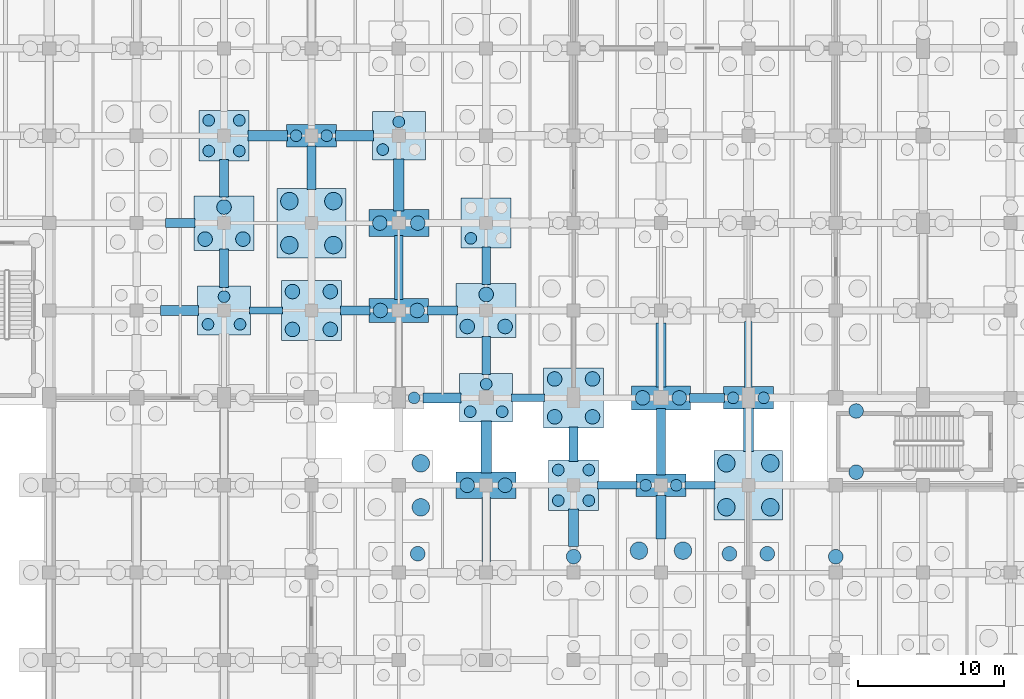
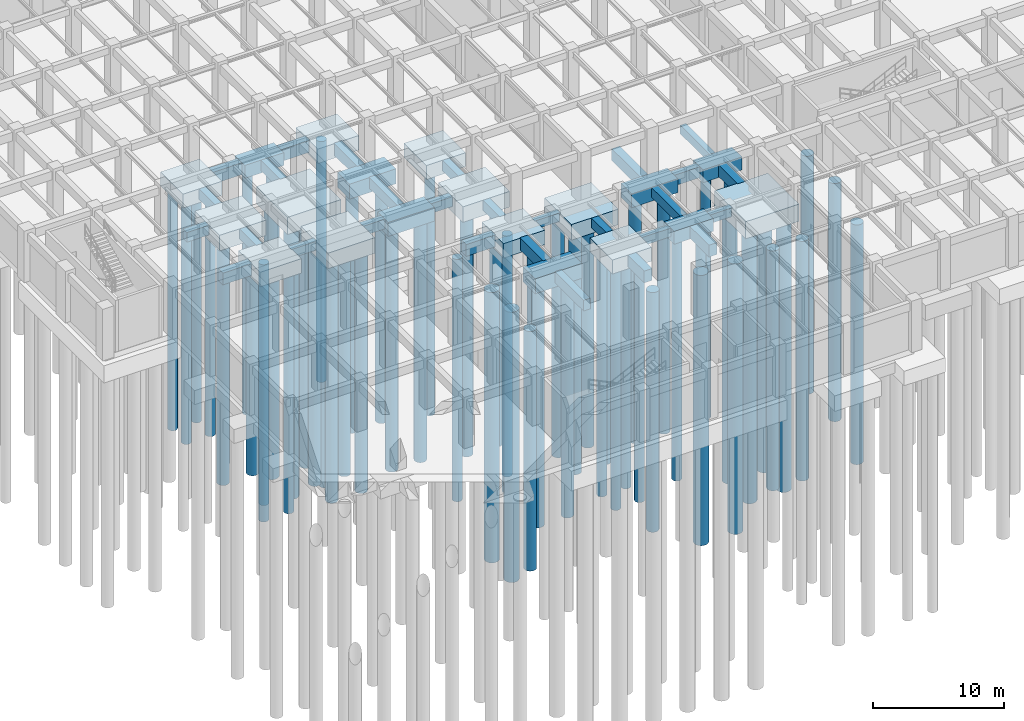
# One storey, part 3 of 54: 65 piles, 47 footings.
"""IFC4 building model written with IfcOpenShell, lengths in metres."""

from ifc_helpers import new_model, si_unit, direction, frame, origin, origin_2d, place, context, subcontext, project, spatial, rectangle, circle, extrude, material, material_profile, profile_set, type_object, element, save


model = new_model("IFC4")

# Units and contexts
model_context = context("Model", 3, precision=1e-05, world=origin(), true_north=direction((0.0, 1.0)))
body_context = subcontext(model_context, "Body", "Model", "MODEL_VIEW")
ifc_project = project(units=[si_unit("LENGTHUNIT", "METRE"), si_unit("AREAUNIT", "SQUARE_METRE"), si_unit("VOLUMEUNIT", "CUBIC_METRE"), si_unit("PLANEANGLEUNIT", "RADIAN"), si_unit("MASSUNIT", "GRAM", prefix="KILO"), si_unit("THERMODYNAMICTEMPERATUREUNIT", "KELVIN"), si_unit("POWERUNIT", "WATT")], contexts=[model_context])

# Site, building, storey
site_placement = place(None, origin())
site = spatial("IfcSite", under=ifc_project, at=site_placement, CompositionType="ELEMENT")
building_placement = place(site_placement, origin())
building = spatial("IfcBuilding", under=site, at=building_placement, Name="Phaisarnlok Congress Hotel", CompositionType="ELEMENT")
storey_placement = place(building_placement, frame((0.0, 0.0, -4.800048828125)))
storey = spatial("IfcBuildingStorey", under=building, at=storey_placement, Name="B01", CompositionType="ELEMENT", Elevation=-4.800048828125)

# Footings
ifc_material_1 = material(Name="Concrete C40/50", Category="concrete")
footing_type_1 = type_object("IfcFootingType", Name="CAP-2P-A", PredefinedType="PILE_CAP", material=ifc_material_1)
for number, where, z_axis, x_axis, name in (
    (1, (24.0, 60.0, -1.69970703125), (0.0, 0.0, 1.0), (1.0, 0.0, 0.0), "Pile cap PC-01 at (24,60)"),
    (2, (48.0, 36.0, -1.69970703125), (0.0, 0.0, 1.0), (1.0, 0.0, 0.0), "Pile cap PC-01 at (48,36)"),
    (3, (54.0, 42.0, -1.69970703125), (0.0, 0.0, 1.0), (1.0, 0.0, 0.0), "Pile cap PC-01 at (54,42)"),
):
    element("IfcFooting", number, at=place(storey_placement, frame(where, z_axis=z_axis, x_axis=x_axis)), inside=storey, type_object=footing_type_1, Name=name, PredefinedType="PILE_CAP", context=body_context, shape_type="SweptSolid", body=[
        extrude(rectangle(XDim=3.43994140625, YDim=1.5400390625, at=origin_2d()), origin(), (0.0, 0.0, 1.0), 1.199951171875),
    ])
footing_type_2 = type_object("IfcFootingType", Name="CAP-2P-B", PredefinedType="PILE_CAP", material=ifc_material_1)
for number, where, z_axis, x_axis, name in (
    (4, (30.0, 48.0, -1.7998046875), (0.0, 0.0, 1.0), (1.0, 0.0, 0.0), "Pile cap PC-02 at (30,48)"),
    (5, (48.0, 42.0, -1.7998046875), (0.0, 0.0, 1.0), (1.0, 0.0, 0.0), "Pile cap PC-02 at (48,42)"),
):
    element("IfcFooting", number, at=place(storey_placement, frame(where, z_axis=z_axis, x_axis=x_axis)), inside=storey, type_object=footing_type_2, Name=name, PredefinedType="PILE_CAP", context=body_context, shape_type="SweptSolid", body=[
        extrude(rectangle(XDim=4.080078125, YDim=1.639892578125, at=origin_2d()), origin(), (0.0, 0.0, 1.0), 1.300048828125),
    ])
footing_type_3 = type_object("IfcFootingType", Name="CAP-2P-C", PredefinedType="PILE_CAP", material=ifc_material_1)
for number, where, z_axis, x_axis, name in (
    (6, (30.0, 54.0, -1.89990234375), (0.0, 0.0, 1.0), (1.0, 0.0, 0.0), "Pile cap PC-03 at (30,54)"),
    (7, (36.0, 36.0, -1.89990234375), (0.0, 0.0, 1.0), (1.0, 0.0, 0.0), "Pile cap PC-03 at (36,36)"),
):
    element("IfcFooting", number, at=place(storey_placement, frame(where, z_axis=z_axis, x_axis=x_axis)), inside=storey, type_object=footing_type_3, Name=name, PredefinedType="PILE_CAP", context=body_context, shape_type="SweptSolid", body=[
        extrude(rectangle(XDim=4.1201171875, YDim=1.840087890625, at=origin_2d()), origin(), (0.0, 0.0, 1.0), 1.39990234375),
    ])
footing_type_4 = type_object("IfcFootingType", Name="CAP-3P-A", PredefinedType="PILE_CAP", material=ifc_material_1)
for number, where, z_axis, x_axis, name in (
    (8, (18.0, 48.0, -1.85009765625), (0.0, 0.0, 1.0), (1.0, 0.0, 0.0), "Pile cap PC-04 at (18,48)"),
    (9, (30.0, 60.0, -1.85009765625), (0.0, 0.0, 1.0), (1.0, 0.0, 0.0), "Pile cap PC-04 at (30,60)"),
    (10, (36.0, 42.0, -1.85009765625), (0.0, 0.0, 1.0), (1.0, 0.0, 0.0), "Pile cap PC-04 at (36,42)"),
):
    element("IfcFooting", number, at=place(storey_placement, frame(where, z_axis=z_axis, x_axis=x_axis)), inside=storey, type_object=footing_type_4, Name=name, PredefinedType="PILE_CAP", context=body_context, shape_type="SweptSolid", body=[
        extrude(rectangle(XDim=3.639892578125, YDim=3.340087890625, at=origin_2d()), origin(), (0.0, 0.0, 1.0), 1.35009765625),
    ])
footing_type_5 = type_object("IfcFootingType", Name="CAP-3P-B", PredefinedType="PILE_CAP", material=ifc_material_1)
for number, where, z_axis, x_axis, name in (
    (11, (18.0, 54.0, -1.94970703125), (0.0, 0.0, 1.0), (1.0, 0.0, 0.0), "Pile cap PC-05 at (18,54)"),
    (12, (36.0, 48.0, -1.94970703125), (0.0, 0.0, 1.0), (1.0, 0.0, 0.0), "Pile cap PC-05 at (36,48)"),
):
    element("IfcFooting", number, at=place(storey_placement, frame(where, z_axis=z_axis, x_axis=x_axis)), inside=storey, type_object=footing_type_5, Name=name, PredefinedType="PILE_CAP", context=body_context, shape_type="SweptSolid", body=[
        extrude(rectangle(XDim=4.1201171875, YDim=3.739990234375, at=origin_2d()), origin(), (0.0, 0.0, 1.0), 1.449951171875),
    ])
footing_type_6 = type_object("IfcFootingType", Name="CAP-4P-A", PredefinedType="PILE_CAP", material=ifc_material_1)
for number, where, z_axis, x_axis, name in (
    (13, (18.0, 60.0, -1.7998046875), (0.0, 0.0, 1.0), (1.0, 0.0, 0.0), "Pile cap PC-06 at (18,60)"),
    (14, (36.0, 54.0, -1.7998046875), (0.0, 0.0, 1.0), (1.0, 0.0, 0.0), "Pile cap PC-06 at (36,54)"),
    (15, (42.0, 36.0, -1.7998046875), (0.0, 0.0, 1.0), (1.0, 0.0, 0.0), "Pile cap PC-06 at (42,36)"),
):
    element("IfcFooting", number, at=place(storey_placement, frame(where, z_axis=z_axis, x_axis=x_axis)), inside=storey, type_object=footing_type_6, Name=name, PredefinedType="PILE_CAP", context=body_context, shape_type="SweptSolid", body=[
        extrude(rectangle(XDim=3.43994140625, YDim=3.43994140625, at=origin_2d()), origin(), (0.0, 0.0, 1.0), 1.300048828125),
    ])
footing_type_7 = type_object("IfcFootingType", Name="CAP-4P-B", PredefinedType="PILE_CAP", material=ifc_material_1)
for number, where, z_axis, x_axis, name in (
    (16, (24.0, 48.0, -1.94970703125), (0.0, 0.0, 1.0), (1.0, 0.0, 0.0), "Pile cap PC-07 at (24,48)"),
    (17, (42.0, 42.0, -1.94970703125), (0.0, 0.0, 1.0), (1.0, 0.0, 0.0), "Pile cap PC-07 at (42,42)"),
):
    element("IfcFooting", number, at=place(storey_placement, frame(where, z_axis=z_axis, x_axis=x_axis)), inside=storey, type_object=footing_type_7, Name=name, PredefinedType="PILE_CAP", context=body_context, shape_type="SweptSolid", body=[
        extrude(rectangle(XDim=4.1201171875, YDim=4.1201171875, at=origin_2d()), origin(), (0.0, 0.0, 1.0), 1.449951171875),
    ])
footing_type_8 = type_object("IfcFootingType", Name="CAP-4P-C", PredefinedType="PILE_CAP", material=ifc_material_1)
for number, where, z_axis, x_axis, name in (
    (18, (24.0, 54.0, -2.10009765625), (0.0, 0.0, 1.0), (1.0, 0.0, 0.0), "Pile cap PC-08 at (24,54)"),
    (19, (54.0, 36.0, -2.10009765625), (0.0, 0.0, 1.0), (1.0, 0.0, 0.0), "Pile cap PC-08 at (54,36)"),
):
    element("IfcFooting", number, at=place(storey_placement, frame(where, z_axis=z_axis, x_axis=x_axis)), inside=storey, type_object=footing_type_8, Name=name, PredefinedType="PILE_CAP", context=body_context, shape_type="SweptSolid", body=[
        extrude(rectangle(XDim=4.719970703125, YDim=4.760009765625, at=origin_2d()), origin(), (0.0, 0.0, 1.0), 1.60009765625),
    ])
ifc_material_profile_1 = material_profile(ifc_material_1, rectangle(XDim=0.5, YDim=0.800048828125, at=origin_2d()), Name="FB-500x800")
ifc_profile_set_1 = profile_set([ifc_material_profile_1], Name="Concrete C40/50")
footing_type_9 = type_object("IfcFootingType", Name="FB-500x800", PredefinedType="FOOTING_BEAM", material=ifc_profile_set_1)
for number, where, z_axis, x_axis, name in (
    (20, (19.7451171875, 48.0, -0.89990234375), (1.0, 0.0, 0.0), (0.0, 1.0, 0.0), "Ground tie beam FB-01"),
    (21, (37.7451171875, 42.0, -0.89990234375), (1.0, 0.0, 0.0), (0.0, 1.0, 0.0), "Ground tie beam FB-01"),
):
    element("IfcFooting", number, at=place(storey_placement, frame(where, z_axis=z_axis, x_axis=x_axis)), inside=storey, type_object=footing_type_9, Name=name, PredefinedType="FOOTING_BEAM", context=body_context, shape_type="SweptSolid", body=[
        extrude(rectangle(XDim=0.5, YDim=0.800048828125, at=origin_2d()), origin(), (0.0, 0.0, 1.0), 2.269775390625),
    ])
footing_1_placement = place(storey_placement, frame((43.64501953125, 36.0, -0.89990234375), z_axis=(1.0, 0.0, 0.0), x_axis=(0.0, 1.0, 0.0)))
element("IfcFooting", 22, at=footing_1_placement, inside=storey, type_object=footing_type_9, Name="Ground tie beam FB-01", PredefinedType="FOOTING_BEAM", context=body_context, shape_type="SweptSolid", body=[
    extrude(rectangle(XDim=0.5, YDim=0.800048828125, at=origin_2d()), origin(), (0.0, 0.0, 1.0), 2.7099609375),
])
footing_2_placement = place(storey_placement, frame((49.64501953125, 36.0, -0.89990234375), z_axis=(1.0, 0.0, 0.0), x_axis=(0.0, 1.0, 0.0)))
element("IfcFooting", 23, at=footing_2_placement, inside=storey, type_object=footing_type_9, Name="Ground tie beam FB-01", PredefinedType="FOOTING_BEAM", context=body_context, shape_type="SweptSolid", body=[
    extrude(rectangle(XDim=0.5, YDim=0.800048828125, at=origin_2d()), origin(), (0.0, 0.0, 1.0), 2.070068359375),
])
footing_3_placement = place(storey_placement, frame((54.0, 42.695068359375, -0.89990234375), z_axis=(0.0, 1.0, 0.0), x_axis=(-1.0, 0.0, 0.0)))
element("IfcFooting", 24, at=footing_3_placement, inside=storey, type_object=footing_type_9, Name="Ground tie beam FB-01", PredefinedType="FOOTING_BEAM", context=body_context, shape_type="SweptSolid", body=[
    extrude(rectangle(XDim=0.5, YDim=0.800048828125, at=origin_2d()), origin(), (0.0, 0.0, 1.0), 4.559814453125),
])
ifc_material_profile_2 = material_profile(ifc_material_1, rectangle(XDim=0.60009765625, YDim=1.0, at=origin_2d()), Name="FB-600x1000")
ifc_profile_set_2 = profile_set([ifc_material_profile_2], Name="Concrete C40/50")
footing_type_10 = type_object("IfcFootingType", Name="FB-600x1000", PredefinedType="FOOTING_BEAM", material=ifc_profile_set_2)
footing_4_placement = place(storey_placement, frame((18.0, 55.794921875, -1.0), z_axis=(0.0, 1.0, 0.0), x_axis=(-1.0, 0.0, 0.0)))
element("IfcFooting", 25, at=footing_4_placement, inside=storey, type_object=footing_type_10, Name="Ground tie beam FB-03", PredefinedType="FOOTING_BEAM", context=body_context, shape_type="SweptSolid", body=[
    extrude(rectangle(XDim=0.60009765625, YDim=1.0, at=origin_2d()), origin(), (0.0, 0.0, 1.0), 2.56005859375),
])
footing_5_placement = place(storey_placement, frame((24.0, 56.304931640625, -1.0), z_axis=(0.0, 1.0, 0.0), x_axis=(-1.0, 0.0, 0.0)))
element("IfcFooting", 26, at=footing_5_placement, inside=storey, type_object=footing_type_10, Name="Ground tie beam FB-03", PredefinedType="FOOTING_BEAM", context=body_context, shape_type="SweptSolid", body=[
    extrude(rectangle(XDim=0.60009765625, YDim=1.0, at=origin_2d()), origin(), (0.0, 0.0, 1.0), 3.0),
])
for number, where, z_axis, x_axis, name in (
    (27, (30.0, 48.7451171875, -1.0), (0.0, 1.0, 0.0), (-1.0, 0.0, 0.0), "Ground tie beam FB-03"),
    (28, (36.0, 30.7451171875, -1.0), (0.0, 1.0, 0.0), (-1.0, 0.0, 0.0), "Ground tie beam FB-03"),
):
    element("IfcFooting", number, at=place(storey_placement, frame(where, z_axis=z_axis, x_axis=x_axis)), inside=storey, type_object=footing_type_10, Name=name, PredefinedType="FOOTING_BEAM", context=body_context, shape_type="SweptSolid", body=[
        extrude(rectangle(XDim=0.60009765625, YDim=1.0, at=origin_2d()), origin(), (0.0, 0.0, 1.0), 4.409912109375),
    ])
footing_6_placement = place(storey_placement, frame((36.0, 49.794921875, -1.0), z_axis=(0.0, 1.0, 0.0), x_axis=(-1.0, 0.0, 0.0)))
element("IfcFooting", 29, at=footing_6_placement, inside=storey, type_object=footing_type_10, Name="Ground tie beam FB-03", PredefinedType="FOOTING_BEAM", context=body_context, shape_type="SweptSolid", body=[
    extrude(rectangle(XDim=0.60009765625, YDim=1.0, at=origin_2d()), origin(), (0.0, 0.0, 1.0), 2.56005859375),
])
footing_7_placement = place(storey_placement, frame((49.965087890625, 42.0, -1.0), z_axis=(1.0, 0.0, 0.0), x_axis=(0.0, 1.0, 0.0)))
element("IfcFooting", 30, at=footing_7_placement, inside=storey, type_object=footing_type_10, Name="Ground tie beam FB-03", PredefinedType="FOOTING_BEAM", context=body_context, shape_type="SweptSolid", body=[
    extrude(rectangle(XDim=0.60009765625, YDim=1.0, at=origin_2d()), origin(), (0.0, 0.0, 1.0), 2.389892578125),
])
ifc_material_profile_3 = material_profile(ifc_material_1, rectangle(XDim=0.60009765625, YDim=0.89990234375, at=origin_2d()), Name="FB-600x900")
ifc_profile_set_3 = profile_set([ifc_material_profile_3], Name="Concrete C40/50")
footing_type_11 = type_object("IfcFootingType", Name="FB-600x900", PredefinedType="FOOTING_BEAM", material=ifc_profile_set_3)
footing_8_placement = place(storey_placement, frame((13.985107421875, 54.0, -0.949951171875), z_axis=(1.0, 0.0, 0.0), x_axis=(0.0, 1.0, 0.0)))
element("IfcFooting", 31, at=footing_8_placement, inside=storey, type_object=footing_type_11, Name="Ground tie beam FB-02", PredefinedType="FOOTING_BEAM", context=body_context, shape_type="SweptSolid", body=[
    extrude(rectangle(XDim=0.60009765625, YDim=0.89990234375, at=origin_2d()), origin(), (0.0, 0.0, 1.0), 2.02978515625),
])
footing_9_placement = place(storey_placement, frame((18.0, 49.594970703125, -0.949951171875), z_axis=(0.0, 1.0, 0.0), x_axis=(-1.0, 0.0, 0.0)))
element("IfcFooting", 32, at=footing_9_placement, inside=storey, type_object=footing_type_11, Name="Ground tie beam FB-02", PredefinedType="FOOTING_BEAM", context=body_context, shape_type="SweptSolid", body=[
    extrude(rectangle(XDim=0.60009765625, YDim=0.89990234375, at=origin_2d()), origin(), (0.0, 0.0, 1.0), 2.610107421875),
])
for number, where, z_axis, x_axis, name in (
    (33, (25.985107421875, 48.0, -0.949951171875), (1.0, 0.0, 0.0), (0.0, 1.0, 0.0), "Ground tie beam FB-02"),
    (34, (31.965087890625, 48.0, -0.949951171875), (1.0, 0.0, 0.0), (0.0, 1.0, 0.0), "Ground tie beam FB-02"),
):
    element("IfcFooting", number, at=place(storey_placement, frame(where, z_axis=z_axis, x_axis=x_axis)), inside=storey, type_object=footing_type_11, Name=name, PredefinedType="FOOTING_BEAM", context=body_context, shape_type="SweptSolid", body=[
        extrude(rectangle(XDim=0.60009765625, YDim=0.89990234375, at=origin_2d()), origin(), (0.0, 0.0, 1.0), 2.0498046875),
    ])
footing_10_placement = place(storey_placement, frame((36.0, 43.594970703125, -0.949951171875), z_axis=(0.0, 1.0, 0.0), x_axis=(-1.0, 0.0, 0.0)))
element("IfcFooting", 35, at=footing_10_placement, inside=storey, type_object=footing_type_11, Name="Ground tie beam FB-02", PredefinedType="FOOTING_BEAM", context=body_context, shape_type="SweptSolid", body=[
    extrude(rectangle(XDim=0.60009765625, YDim=0.89990234375, at=origin_2d()), origin(), (0.0, 0.0, 1.0), 2.610107421875),
])
footing_11_placement = place(storey_placement, frame((42.0, 37.64501953125, -0.949951171875), z_axis=(0.0, 1.0, 0.0), x_axis=(-1.0, 0.0, 0.0)))
element("IfcFooting", 36, at=footing_11_placement, inside=storey, type_object=footing_type_11, Name="Ground tie beam FB-02", PredefinedType="FOOTING_BEAM", context=body_context, shape_type="SweptSolid", body=[
    extrude(rectangle(XDim=0.60009765625, YDim=0.89990234375, at=origin_2d()), origin(), (0.0, 0.0, 1.0), 2.369873046875),
])
footing_12_placement = place(storey_placement, frame((48.0, 36.695068359375, -0.949951171875), z_axis=(0.0, 1.0, 0.0), x_axis=(-1.0, 0.0, 0.0)))
element("IfcFooting", 37, at=footing_12_placement, inside=storey, type_object=footing_type_11, Name="Ground tie beam FB-02", PredefinedType="FOOTING_BEAM", context=body_context, shape_type="SweptSolid", body=[
    extrude(rectangle(XDim=0.60009765625, YDim=0.89990234375, at=origin_2d()), origin(), (0.0, 0.0, 1.0), 4.559814453125),
])
ifc_material_profile_4 = material_profile(ifc_material_1, rectangle(XDim=0.699951171875, YDim=1.10009765625, at=origin_2d()), Name="FB-700x1100")
ifc_profile_set_4 = profile_set([ifc_material_profile_4], Name="Concrete C40/50")
footing_type_12 = type_object("IfcFootingType", Name="FB-700x1100", PredefinedType="FOOTING_BEAM", material=ifc_profile_set_4)
footing_13_placement = place(storey_placement, frame((13.64501953125, 48.0, -1.050048828125), z_axis=(1.0, 0.0, 0.0), x_axis=(0.0, 1.0, 0.0)))
element("IfcFooting", 38, at=footing_13_placement, inside=storey, type_object=footing_type_12, Name="Ground tie beam FB-04", PredefinedType="FOOTING_BEAM", context=body_context, shape_type="SweptSolid", body=[
    extrude(rectangle(XDim=0.699951171875, YDim=1.10009765625, at=origin_2d()), origin(), (0.0, 0.0, 1.0), 2.60986328125),
])
footing_14_placement = place(storey_placement, frame((19.64501953125, 60.0, -1.050048828125), z_axis=(1.0, 0.0, 0.0), x_axis=(0.0, 1.0, 0.0)))
element("IfcFooting", 39, at=footing_14_placement, inside=storey, type_object=footing_type_12, Name="Ground tie beam FB-04", PredefinedType="FOOTING_BEAM", context=body_context, shape_type="SweptSolid", body=[
    extrude(rectangle(XDim=0.699951171875, YDim=1.10009765625, at=origin_2d()), origin(), (0.0, 0.0, 1.0), 2.7099609375),
])
for number, where, z_axis, x_axis, name in (
    (40, (25.64501953125, 60.0, -1.050048828125), (1.0, 0.0, 0.0), (0.0, 1.0, 0.0), "Ground tie beam FB-04"),
    (41, (31.64501953125, 42.0, -1.050048828125), (1.0, 0.0, 0.0), (0.0, 1.0, 0.0), "Ground tie beam FB-04"),
):
    element("IfcFooting", number, at=place(storey_placement, frame(where, z_axis=z_axis, x_axis=x_axis)), inside=storey, type_object=footing_type_12, Name=name, PredefinedType="FOOTING_BEAM", context=body_context, shape_type="SweptSolid", body=[
        extrude(rectangle(XDim=0.699951171875, YDim=1.10009765625, at=origin_2d()), origin(), (0.0, 0.0, 1.0), 2.60986328125),
    ])
for number, where, z_axis, x_axis, name in (
    (42, (30.0, 54.844970703125, -1.050048828125), (0.0, 1.0, 0.0), (-1.0, 0.0, 0.0), "Ground tie beam FB-04"),
    (43, (36.0, 36.844970703125, -1.050048828125), (0.0, 1.0, 0.0), (-1.0, 0.0, 0.0), "Ground tie beam FB-04"),
):
    element("IfcFooting", number, at=place(storey_placement, frame(where, z_axis=z_axis, x_axis=x_axis)), inside=storey, type_object=footing_type_12, Name=name, PredefinedType="FOOTING_BEAM", context=body_context, shape_type="SweptSolid", body=[
        extrude(rectangle(XDim=0.699951171875, YDim=1.10009765625, at=origin_2d()), origin(), (0.0, 0.0, 1.0), 3.56005859375),
    ])
footing_15_placement = place(storey_placement, frame((42.0, 31.794921875, -1.050048828125), z_axis=(0.0, 1.0, 0.0), x_axis=(-1.0, 0.0, 0.0)))
element("IfcFooting", 44, at=footing_15_placement, inside=storey, type_object=footing_type_12, Name="Ground tie beam FB-04", PredefinedType="FOOTING_BEAM", context=body_context, shape_type="SweptSolid", body=[
    extrude(rectangle(XDim=0.699951171875, YDim=1.10009765625, at=origin_2d()), origin(), (0.0, 0.0, 1.0), 2.56005859375),
])
footing_16_placement = place(storey_placement, frame((48.0, 32.304931640625, -1.050048828125), z_axis=(0.0, 1.0, 0.0), x_axis=(-1.0, 0.0, 0.0)))
element("IfcFooting", 45, at=footing_16_placement, inside=storey, type_object=footing_type_12, Name="Ground tie beam FB-04", PredefinedType="FOOTING_BEAM", context=body_context, shape_type="SweptSolid", body=[
    extrude(rectangle(XDim=0.699951171875, YDim=1.10009765625, at=origin_2d()), origin(), (0.0, 0.0, 1.0), 3.0),
])
footing_17_placement = place(storey_placement, frame((48.0, 42.7451171875, -1.050048828125), z_axis=(0.0, 1.0, 0.0), x_axis=(-1.0, 0.0, 0.0)))
element("IfcFooting", 46, at=footing_17_placement, inside=storey, type_object=footing_type_12, Name="Ground tie beam FB-04", PredefinedType="FOOTING_BEAM", context=body_context, shape_type="SweptSolid", body=[
    extrude(rectangle(XDim=0.699951171875, YDim=1.10009765625, at=origin_2d()), origin(), (0.0, 0.0, 1.0), 4.409912109375),
])
footing_18_placement = place(storey_placement, frame((54.0, 38.304931640625, -1.050048828125), z_axis=(0.0, 1.0, 0.0), x_axis=(-1.0, 0.0, 0.0)))
element("IfcFooting", 47, at=footing_18_placement, inside=storey, type_object=footing_type_12, Name="Ground tie beam FB-04", PredefinedType="FOOTING_BEAM", context=body_context, shape_type="SweptSolid", body=[
    extrude(rectangle(XDim=0.699951171875, YDim=1.10009765625, at=origin_2d()), origin(), (0.0, 0.0, 1.0), 3.0),
])

# Piles
ifc_material_2 = material(Name="Concrete C35/45", Category="concrete")
ifc_material_profile_5 = material_profile(ifc_material_2, circle(Radius=0.5, at=origin_2d()), Name="BORED PILE D1000")
ifc_profile_set_5 = profile_set([ifc_material_profile_5], Name="Concrete C35/45")
pile_type_1 = type_object("IfcPileType", Name="PILE-D1000", PredefinedType="BORED", material=ifc_profile_set_5)
for number, where, z_axis, x_axis, name in (
    (48, (61.39990234375, 36.89990234375, -2.0), (0.0, 0.0, -1.0), (1.0, 0.0, 0.0), "Bored pile PL-02 (STAIR-POD-S-01)"),
    (49, (61.39990234375, 41.10009765625, -2.0), (0.0, 0.0, -1.0), (1.0, 0.0, 0.0), "Bored pile PL-02 (STAIR-POD-S-02)"),
):
    element("IfcPile", number, at=place(storey_placement, frame(where, z_axis=z_axis, x_axis=x_axis)), inside=storey, type_object=pile_type_1, Name=name, PredefinedType="BORED", context=body_context, shape_type="SweptSolid", body=[
        extrude(circle(Radius=0.5, at=origin_2d()), origin(), (0.0, 0.0, 1.0), 22.199951171875),
    ])
for number, where, z_axis, x_axis, name in (
    (50, (16.699951171875, 52.89990234375, -1.849853515625), (0.0, 0.0, -1.0), (1.0, 0.0, 0.0), "Bored pile PL-02 (FTG-B01-018-054-1)"),
    (51, (19.300048828125, 52.89990234375, -1.849853515625), (0.0, 0.0, -1.0), (1.0, 0.0, 0.0), "Bored pile PL-02 (FTG-B01-018-054-2)"),
    (52, (18.0, 55.10009765625, -1.849853515625), (0.0, 0.0, -1.0), (1.0, 0.0, 0.0), "Bored pile PL-02 (FTG-B01-018-054-3)"),
    (53, (22.699951171875, 46.699951171875, -1.849853515625), (0.0, 0.0, -1.0), (1.0, 0.0, 0.0), "Bored pile PL-02 (FTG-B01-024-048-1)"),
    (54, (25.300048828125, 46.699951171875, -1.849853515625), (0.0, 0.0, -1.0), (1.0, 0.0, 0.0), "Bored pile PL-02 (FTG-B01-024-048-2)"),
    (55, (22.699951171875, 49.300048828125, -1.849853515625), (0.0, 0.0, -1.0), (1.0, 0.0, 0.0), "Bored pile PL-02 (FTG-B01-024-048-3)"),
    (56, (25.300048828125, 49.300048828125, -1.849853515625), (0.0, 0.0, -1.0), (1.0, 0.0, 0.0), "Bored pile PL-02 (FTG-B01-024-048-4)"),
    (57, (31.300048828125, 31.300048828125, -1.849853515625), (0.0, 0.0, -1.0), (1.0, 0.0, 0.0), "Bored pile PL-02 (FTG-B01-030-030-4)"),
):
    element("IfcPile", number, at=place(storey_placement, frame(where, z_axis=z_axis, x_axis=x_axis)), inside=storey, type_object=pile_type_1, Name=name, PredefinedType="BORED", context=body_context, shape_type="SweptSolid", body=[
        extrude(circle(Radius=0.5, at=origin_2d()), origin(), (0.0, 0.0, 1.0), 22.35009765625),
    ])
for number, where, z_axis, x_axis, name in (
    (58, (28.739990234375, 48.0, -1.699951171875), (0.0, 0.0, -1.0), (1.0, 0.0, 0.0), "Bored pile PL-02 (FTG-B01-030-048-1)"),
    (59, (31.260009765625, 48.0, -1.699951171875), (0.0, 0.0, -1.0), (1.0, 0.0, 0.0), "Bored pile PL-02 (FTG-B01-030-048-2)"),
):
    element("IfcPile", number, at=place(storey_placement, frame(where, z_axis=z_axis, x_axis=x_axis)), inside=storey, type_object=pile_type_1, Name=name, PredefinedType="BORED", context=body_context, shape_type="SweptSolid", body=[
        extrude(circle(Radius=0.5, at=origin_2d()), origin(), (0.0, 0.0, 1.0), 22.5),
    ])
for number, where, z_axis, x_axis, name in (
    (60, (28.699951171875, 54.0, -1.800048828125), (0.0, 0.0, -1.0), (1.0, 0.0, 0.0), "Bored pile PL-02 (FTG-B01-030-054-1)"),
    (61, (31.300048828125, 54.0, -1.800048828125), (0.0, 0.0, -1.0), (1.0, 0.0, 0.0), "Bored pile PL-02 (FTG-B01-030-054-2)"),
    (62, (34.699951171875, 36.0, -1.800048828125), (0.0, 0.0, -1.0), (1.0, 0.0, 0.0), "Bored pile PL-02 (FTG-B01-036-036-1)"),
    (63, (37.300048828125, 36.0, -1.800048828125), (0.0, 0.0, -1.0), (1.0, 0.0, 0.0), "Bored pile PL-02 (FTG-B01-036-036-2)"),
):
    element("IfcPile", number, at=place(storey_placement, frame(where, z_axis=z_axis, x_axis=x_axis)), inside=storey, type_object=pile_type_1, Name=name, PredefinedType="BORED", context=body_context, shape_type="SweptSolid", body=[
        extrude(circle(Radius=0.5, at=origin_2d()), origin(), (0.0, 0.0, 1.0), 22.39990234375),
    ])
for number, where, z_axis, x_axis, name in (
    (64, (34.699951171875, 46.89990234375, -1.849853515625), (0.0, 0.0, -1.0), (1.0, 0.0, 0.0), "Bored pile PL-02 (FTG-B01-036-048-1)"),
    (65, (37.300048828125, 46.89990234375, -1.849853515625), (0.0, 0.0, -1.0), (1.0, 0.0, 0.0), "Bored pile PL-02 (FTG-B01-036-048-2)"),
    (66, (36.0, 49.10009765625, -1.849853515625), (0.0, 0.0, -1.0), (1.0, 0.0, 0.0), "Bored pile PL-02 (FTG-B01-036-048-3)"),
    (67, (42.0, 31.10009765625, -1.849853515625), (0.0, 0.0, -1.0), (1.0, 0.0, 0.0), "Bored pile PL-02 (FTG-B01-042-030-3)"),
    (68, (40.699951171875, 40.699951171875, -1.849853515625), (0.0, 0.0, -1.0), (1.0, 0.0, 0.0), "Bored pile PL-02 (FTG-B01-042-042-1)"),
    (69, (43.300048828125, 40.699951171875, -1.849853515625), (0.0, 0.0, -1.0), (1.0, 0.0, 0.0), "Bored pile PL-02 (FTG-B01-042-042-2)"),
    (70, (40.699951171875, 43.300048828125, -1.849853515625), (0.0, 0.0, -1.0), (1.0, 0.0, 0.0), "Bored pile PL-02 (FTG-B01-042-042-3)"),
    (71, (43.300048828125, 43.300048828125, -1.849853515625), (0.0, 0.0, -1.0), (1.0, 0.0, 0.0), "Bored pile PL-02 (FTG-B01-042-042-4)"),
):
    element("IfcPile", number, at=place(storey_placement, frame(where, z_axis=z_axis, x_axis=x_axis)), inside=storey, type_object=pile_type_1, Name=name, PredefinedType="BORED", context=body_context, shape_type="SweptSolid", body=[
        extrude(circle(Radius=0.5, at=origin_2d()), origin(), (0.0, 0.0, 1.0), 22.35009765625),
    ])
for number, where, z_axis, x_axis, name in (
    (72, (46.739990234375, 42.0, -1.699951171875), (0.0, 0.0, -1.0), (1.0, 0.0, 0.0), "Bored pile PL-02 (FTG-B01-048-042-1)"),
    (73, (49.260009765625, 42.0, -1.699951171875), (0.0, 0.0, -1.0), (1.0, 0.0, 0.0), "Bored pile PL-02 (FTG-B01-048-042-2)"),
):
    element("IfcPile", number, at=place(storey_placement, frame(where, z_axis=z_axis, x_axis=x_axis)), inside=storey, type_object=pile_type_1, Name=name, PredefinedType="BORED", context=body_context, shape_type="SweptSolid", body=[
        extrude(circle(Radius=0.5, at=origin_2d()), origin(), (0.0, 0.0, 1.0), 22.5),
    ])
for number, where, z_axis, x_axis, name in (
    (74, (52.699951171875, 31.300048828125, -1.849853515625), (0.0, 0.0, -1.0), (1.0, 0.0, 0.0), "Bored pile PL-02 (FTG-B01-054-030-3)"),
    (75, (55.300048828125, 31.300048828125, -1.849853515625), (0.0, 0.0, -1.0), (1.0, 0.0, 0.0), "Bored pile PL-02 (FTG-B01-054-030-4)"),
    (76, (60.0, 31.10009765625, -1.849853515625), (0.0, 0.0, -1.0), (1.0, 0.0, 0.0), "Bored pile PL-02 (FTG-B01-060-030-3)"),
):
    element("IfcPile", number, at=place(storey_placement, frame(where, z_axis=z_axis, x_axis=x_axis)), inside=storey, type_object=pile_type_1, Name=name, PredefinedType="BORED", context=body_context, shape_type="SweptSolid", body=[
        extrude(circle(Radius=0.5, at=origin_2d()), origin(), (0.0, 0.0, 1.0), 22.35009765625),
    ])
ifc_material_profile_6 = material_profile(ifc_material_2, circle(Radius=0.60009765625, at=origin_2d()), Name="BORED PILE D1200")
ifc_profile_set_6 = profile_set([ifc_material_profile_6], Name="Concrete C35/45")
pile_type_2 = type_object("IfcPileType", Name="PILE-D1200", PredefinedType="BORED", material=ifc_profile_set_6)
for number, where, z_axis, x_axis, name in (
    (77, (22.489990234375, 52.489990234375, -2.0), (0.0, 0.0, -1.0), (1.0, 0.0, 0.0), "Bored pile PL-03 (FTG-B01-024-054-1)"),
    (78, (25.510009765625, 52.489990234375, -2.0), (0.0, 0.0, -1.0), (1.0, 0.0, 0.0), "Bored pile PL-03 (FTG-B01-024-054-2)"),
    (79, (22.489990234375, 55.510009765625, -2.0), (0.0, 0.0, -1.0), (1.0, 0.0, 0.0), "Bored pile PL-03 (FTG-B01-024-054-3)"),
    (80, (25.510009765625, 55.510009765625, -2.0), (0.0, 0.0, -1.0), (1.0, 0.0, 0.0), "Bored pile PL-03 (FTG-B01-024-054-4)"),
    (81, (31.510009765625, 34.489990234375, -2.0), (0.0, 0.0, -1.0), (1.0, 0.0, 0.0), "Bored pile PL-03 (FTG-B01-030-036-2)"),
    (82, (31.510009765625, 37.510009765625, -2.0), (0.0, 0.0, -1.0), (1.0, 0.0, 0.0), "Bored pile PL-03 (FTG-B01-030-036-4)"),
    (83, (46.489990234375, 31.510009765625, -2.0), (0.0, 0.0, -1.0), (1.0, 0.0, 0.0), "Bored pile PL-03 (FTG-B01-048-030-3)"),
    (84, (49.510009765625, 31.510009765625, -2.0), (0.0, 0.0, -1.0), (1.0, 0.0, 0.0), "Bored pile PL-03 (FTG-B01-048-030-4)"),
    (85, (52.489990234375, 34.489990234375, -2.0), (0.0, 0.0, -1.0), (1.0, 0.0, 0.0), "Bored pile PL-03 (FTG-B01-054-036-1)"),
    (86, (55.510009765625, 34.489990234375, -2.0), (0.0, 0.0, -1.0), (1.0, 0.0, 0.0), "Bored pile PL-03 (FTG-B01-054-036-2)"),
    (87, (52.489990234375, 37.510009765625, -2.0), (0.0, 0.0, -1.0), (1.0, 0.0, 0.0), "Bored pile PL-03 (FTG-B01-054-036-3)"),
    (88, (55.510009765625, 37.510009765625, -2.0), (0.0, 0.0, -1.0), (1.0, 0.0, 0.0), "Bored pile PL-03 (FTG-B01-054-036-4)"),
):
    element("IfcPile", number, at=place(storey_placement, frame(where, z_axis=z_axis, x_axis=x_axis)), inside=storey, type_object=pile_type_2, Name=name, PredefinedType="BORED", context=body_context, shape_type="SweptSolid", body=[
        extrude(circle(Radius=0.60009765625, at=origin_2d()), origin(), (0.0, 0.0, 1.0), 25.199951171875),
    ])
ifc_material_profile_7 = material_profile(ifc_material_2, circle(Radius=0.39990234375, at=origin_2d()), Name="BORED PILE D800")
ifc_profile_set_7 = profile_set([ifc_material_profile_7], Name="Concrete C35/45")
pile_type_3 = type_object("IfcPileType", Name="PILE-D800", PredefinedType="BORED", material=ifc_profile_set_7)
for number, where, z_axis, x_axis, name in (
    (89, (16.89990234375, 47.050048828125, -1.75), (0.0, 0.0, -1.0), (1.0, 0.0, 0.0), "Bored pile PL-01 (FTG-B01-018-048-1)"),
    (90, (19.10009765625, 47.050048828125, -1.75), (0.0, 0.0, -1.0), (1.0, 0.0, 0.0), "Bored pile PL-01 (FTG-B01-018-048-2)"),
    (91, (18.0, 48.949951171875, -1.75), (0.0, 0.0, -1.0), (1.0, 0.0, 0.0), "Bored pile PL-01 (FTG-B01-018-048-3)"),
):
    element("IfcPile", number, at=place(storey_placement, frame(where, z_axis=z_axis, x_axis=x_axis)), inside=storey, type_object=pile_type_3, Name=name, PredefinedType="BORED", context=body_context, shape_type="SweptSolid", body=[
        extrude(circle(Radius=0.39990234375, at=origin_2d()), origin(), (0.0, 0.0, 1.0), 22.449951171875),
    ])
for number, where, z_axis, x_axis, name in (
    (92, (16.949951171875, 58.949951171875, -1.699951171875), (0.0, 0.0, -1.0), (1.0, 0.0, 0.0), "Bored pile PL-01 (FTG-B01-018-060-1)"),
    (93, (19.050048828125, 58.949951171875, -1.699951171875), (0.0, 0.0, -1.0), (1.0, 0.0, 0.0), "Bored pile PL-01 (FTG-B01-018-060-2)"),
    (94, (16.949951171875, 61.050048828125, -1.699951171875), (0.0, 0.0, -1.0), (1.0, 0.0, 0.0), "Bored pile PL-01 (FTG-B01-018-060-3)"),
    (95, (19.050048828125, 61.050048828125, -1.699951171875), (0.0, 0.0, -1.0), (1.0, 0.0, 0.0), "Bored pile PL-01 (FTG-B01-018-060-4)"),
):
    element("IfcPile", number, at=place(storey_placement, frame(where, z_axis=z_axis, x_axis=x_axis)), inside=storey, type_object=pile_type_3, Name=name, PredefinedType="BORED", context=body_context, shape_type="SweptSolid", body=[
        extrude(circle(Radius=0.39990234375, at=origin_2d()), origin(), (0.0, 0.0, 1.0), 22.5),
    ])
for number, where, z_axis, x_axis, name in (
    (96, (22.949951171875, 60.0, -1.599853515625), (0.0, 0.0, -1.0), (1.0, 0.0, 0.0), "Bored pile PL-01 (FTG-B01-024-060-1)"),
    (97, (25.050048828125, 60.0, -1.599853515625), (0.0, 0.0, -1.0), (1.0, 0.0, 0.0), "Bored pile PL-01 (FTG-B01-024-060-2)"),
    (98, (31.050048828125, 42.0, -1.599853515625), (0.0, 0.0, -1.0), (1.0, 0.0, 0.0), "Bored pile PL-01 (FTG-B01-030-042-2)"),
):
    element("IfcPile", number, at=place(storey_placement, frame(where, z_axis=z_axis, x_axis=x_axis)), inside=storey, type_object=pile_type_3, Name=name, PredefinedType="BORED", context=body_context, shape_type="SweptSolid", body=[
        extrude(circle(Radius=0.39990234375, at=origin_2d()), origin(), (0.0, 0.0, 1.0), 22.60009765625),
    ])
for number, where, z_axis, x_axis, name in (
    (99, (28.89990234375, 59.050048828125, -1.75), (0.0, 0.0, -1.0), (1.0, 0.0, 0.0), "Bored pile PL-01 (FTG-B01-030-060-1)"),
    (100, (30.0, 60.949951171875, -1.75), (0.0, 0.0, -1.0), (1.0, 0.0, 0.0), "Bored pile PL-01 (FTG-B01-030-060-3)"),
    (101, (34.89990234375, 41.050048828125, -1.75), (0.0, 0.0, -1.0), (1.0, 0.0, 0.0), "Bored pile PL-01 (FTG-B01-036-042-1)"),
    (102, (37.10009765625, 41.050048828125, -1.75), (0.0, 0.0, -1.0), (1.0, 0.0, 0.0), "Bored pile PL-01 (FTG-B01-036-042-2)"),
    (103, (36.0, 42.949951171875, -1.75), (0.0, 0.0, -1.0), (1.0, 0.0, 0.0), "Bored pile PL-01 (FTG-B01-036-042-3)"),
):
    element("IfcPile", number, at=place(storey_placement, frame(where, z_axis=z_axis, x_axis=x_axis)), inside=storey, type_object=pile_type_3, Name=name, PredefinedType="BORED", context=body_context, shape_type="SweptSolid", body=[
        extrude(circle(Radius=0.39990234375, at=origin_2d()), origin(), (0.0, 0.0, 1.0), 22.449951171875),
    ])
for number, where, z_axis, x_axis, name in (
    (104, (34.949951171875, 52.949951171875, -1.699951171875), (0.0, 0.0, -1.0), (1.0, 0.0, 0.0), "Bored pile PL-01 (FTG-B01-036-054-1)"),
    (105, (40.949951171875, 34.949951171875, -1.699951171875), (0.0, 0.0, -1.0), (1.0, 0.0, 0.0), "Bored pile PL-01 (FTG-B01-042-036-1)"),
    (106, (43.050048828125, 34.949951171875, -1.699951171875), (0.0, 0.0, -1.0), (1.0, 0.0, 0.0), "Bored pile PL-01 (FTG-B01-042-036-2)"),
    (107, (40.949951171875, 37.050048828125, -1.699951171875), (0.0, 0.0, -1.0), (1.0, 0.0, 0.0), "Bored pile PL-01 (FTG-B01-042-036-3)"),
    (108, (43.050048828125, 37.050048828125, -1.699951171875), (0.0, 0.0, -1.0), (1.0, 0.0, 0.0), "Bored pile PL-01 (FTG-B01-042-036-4)"),
):
    element("IfcPile", number, at=place(storey_placement, frame(where, z_axis=z_axis, x_axis=x_axis)), inside=storey, type_object=pile_type_3, Name=name, PredefinedType="BORED", context=body_context, shape_type="SweptSolid", body=[
        extrude(circle(Radius=0.39990234375, at=origin_2d()), origin(), (0.0, 0.0, 1.0), 22.5),
    ])
for number, where, z_axis, x_axis, name in (
    (109, (46.949951171875, 36.0, -1.599853515625), (0.0, 0.0, -1.0), (1.0, 0.0, 0.0), "Bored pile PL-01 (FTG-B01-048-036-1)"),
    (110, (49.050048828125, 36.0, -1.599853515625), (0.0, 0.0, -1.0), (1.0, 0.0, 0.0), "Bored pile PL-01 (FTG-B01-048-036-2)"),
    (111, (52.949951171875, 42.0, -1.599853515625), (0.0, 0.0, -1.0), (1.0, 0.0, 0.0), "Bored pile PL-01 (FTG-B01-054-042-1)"),
    (112, (55.050048828125, 42.0, -1.599853515625), (0.0, 0.0, -1.0), (1.0, 0.0, 0.0), "Bored pile PL-01 (FTG-B01-054-042-2)"),
):
    element("IfcPile", number, at=place(storey_placement, frame(where, z_axis=z_axis, x_axis=x_axis)), inside=storey, type_object=pile_type_3, Name=name, PredefinedType="BORED", context=body_context, shape_type="SweptSolid", body=[
        extrude(circle(Radius=0.39990234375, at=origin_2d()), origin(), (0.0, 0.0, 1.0), 22.60009765625),
    ])

save(model, "model.ifc")
